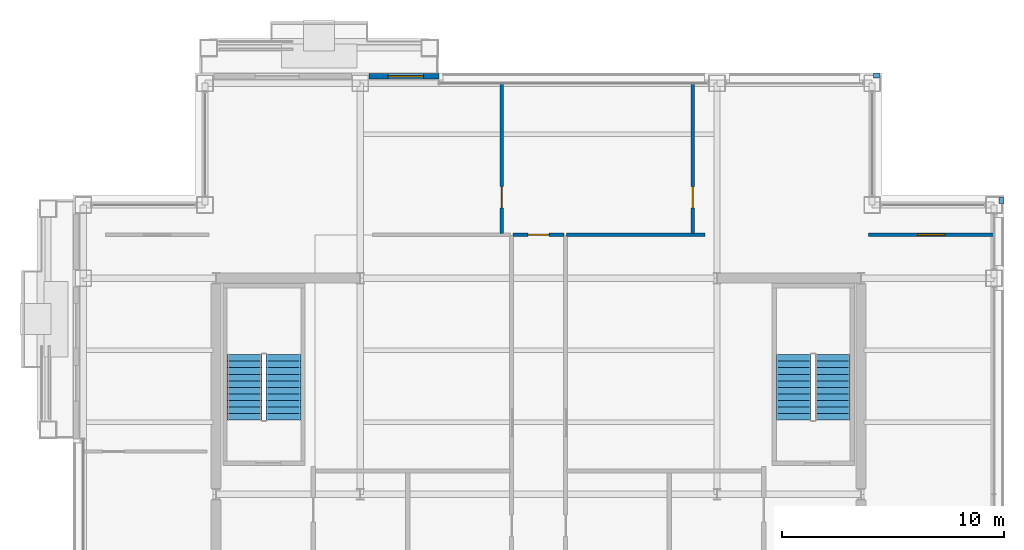
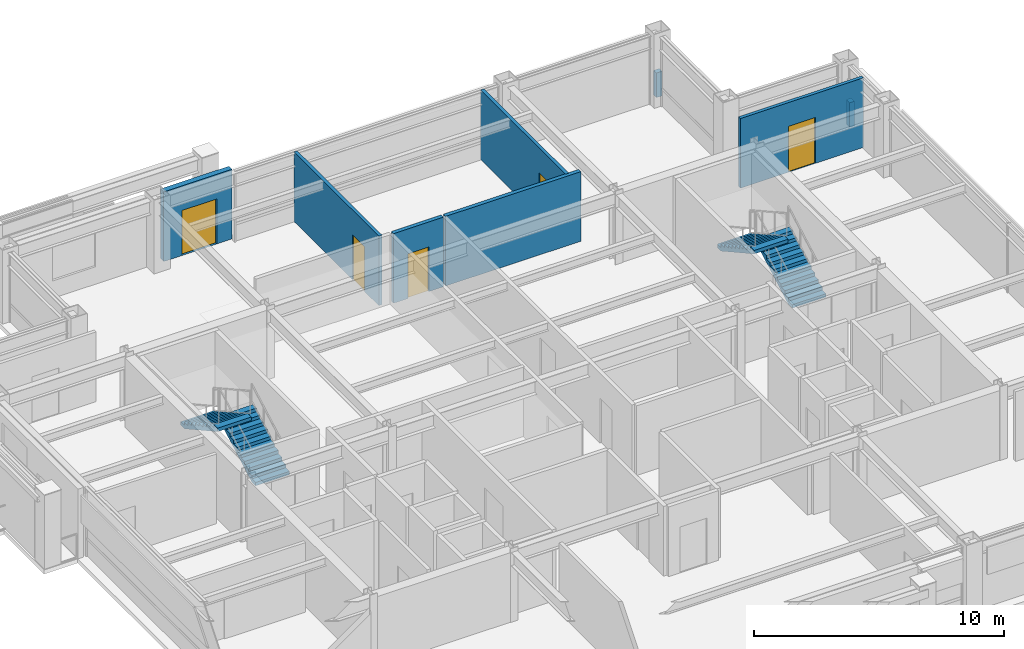
# One storey, part 28 of 31: 8 walls, 5 doors, 4 stair flights, 5 openings, 2 elements without a shape of their own.
"""IFC4 building model written with IfcOpenShell, lengths in metres."""

from ifc_helpers import new_model, si_unit, direction, frame, frame_2d, origin, place, context, subcontext, project, spatial, polyline, rectangle, outline, extrude, material, layer, layer_set, type_object, element, fill, aggregate, save


model = new_model("IFC4")

# Units and contexts
model_context = context("Model", 3, precision=1e-05, world=origin(), true_north=direction((0.0, 1.0)))
body_context = subcontext(model_context, "Body", "Model", "MODEL_VIEW")
ifc_project = project(units=[si_unit("LENGTHUNIT", "METRE"), si_unit("AREAUNIT", "SQUARE_METRE"), si_unit("VOLUMEUNIT", "CUBIC_METRE"), si_unit("PLANEANGLEUNIT", "RADIAN"), si_unit("MASSUNIT", "GRAM", prefix="KILO")], contexts=[model_context])

# Site, building, storey
site_placement = place(None, origin())
site = spatial("IfcSite", under=ifc_project, at=site_placement, CompositionType="ELEMENT")
building_placement = place(site_placement, origin())
building = spatial("IfcBuilding", under=site, at=building_placement, Name="Brelmoor Portico Tower", CompositionType="ELEMENT")
storey_placement = place(building_placement, frame((0.0, 0.0, 176.699951171875)))
storey = spatial("IfcBuildingStorey", under=building, at=storey_placement, Name="L46", CompositionType="ELEMENT", Elevation=176.699951171875)

# Wall, opening, door
ifc_material_1 = material(Name="Precast Concrete C40 Insulated Facade Wall", Category="concrete")
ifc_layer_1 = layer(ifc_material_1, 0.25)
ifc_layer_set_1 = layer_set([ifc_layer_1], Name="Precast Concrete C40 Insulated Facade Wall")
wall_type_1 = type_object("IfcWallType", Name="WL-EXT-250", PredefinedType="STANDARD", material=ifc_layer_set_1)
wall_1_placement = place(storey_placement, frame((-7.655029296875, 18.860107421875, 0.0), z_axis=(0.0, 0.0, 1.0), x_axis=(1.0, 0.0, 0.0)))
wall_1 = element("IfcWall", 1, at=wall_1_placement, inside=storey, type_object=wall_type_1, Name="L46 Loggia Threshold Wall N-2", PredefinedType="STANDARD", context=body_context, shape_type="SweptSolid", body=[
    extrude(rectangle(XDim=3.155029296875, YDim=0.25, at=frame_2d((1.57763671875, 0.0))), origin(), (0.0, 0.0, 1.0), 3.400146484375),
])
opening_1_placement = place(wall_1_placement, frame((0.85498046875, 0.0, 0.0)))
opening_1 = element("IfcOpeningElement", 2, at=opening_1_placement, cuts=wall_1, Name="Opening D-TB1", PredefinedType="OPENING", context=body_context, shape_type="SweptSolid", body=[
    extrude(rectangle(XDim=1.60009765625, YDim=2.199951171875, at=frame_2d((0.800048828125, 1.10009765625))), frame((0.0, 0.135009765625, 0.0), z_axis=(0.0, -1.0, 0.0), x_axis=(1.0, 0.0, 0.0)), (0.0, 0.0, 1.0), 0.27001953125),
])
ifc_material_2 = material(Name="Double-Leaf Thermally Broken Terrace Door", Category="aluminium")
door_type_1 = type_object("IfcDoorType", Name="DR-BALCONY-1600", OperationType="NOTDEFINED", PredefinedType="DOOR", material=ifc_material_2)
door_1_placement = place(opening_1_placement, origin())
door_1 = element("IfcDoor", 3, at=door_1_placement, inside=storey, type_object=door_type_1, Name="D-1974 L46 Tree Balcony Double Door N", OperationType="DOUBLE_DOOR_SINGLE_SWING", OverallHeight=2.199951171875, OverallWidth=1.60009765625, PredefinedType="DOOR", context=body_context, shape_type="SweptSolid", body=[
    extrude(rectangle(XDim=1.60009765625, YDim=2.199951171875, at=frame_2d((0.800048828125, 1.10009765625))), frame((0.0, 0.02490234375, 0.0), z_axis=(0.0, -1.0, 0.0), x_axis=(1.0, 0.0, 0.0)), (0.0, 0.0, 1.0), 0.050048828125),
])
fill(opening_1, door_1)

# Walls
ifc_material_3 = material(Name="Concrete C40 Parapet Upstand", Category="concrete")
ifc_layer_2 = layer(ifc_material_3, 0.219970703125)
ifc_layer_set_2 = layer_set([ifc_layer_2], Name="Concrete C40 Parapet Upstand")
wall_type_2 = type_object("IfcWallType", Name="WL-PARAPET-220", PredefinedType="PARAPET", material=ifc_layer_set_2)
for number, where, z_axis, x_axis, name in (
    (4, (15.1201171875, 18.889892578125, 0.0), (0.0, 0.0, 1.0), (1.0, 0.0, 0.0), "L46 Chamfer Vertex Parapet Pier NE1"),
    (5, (20.889892578125, 13.1201171875, 0.0), (0.0, 0.0, 1.0), (0.0, 1.0, 0.0), "L46 Chamfer Vertex Parapet Pier NE2"),
):
    element("IfcWall", number, at=place(storey_placement, frame(where, z_axis=z_axis, x_axis=x_axis)), inside=storey, type_object=wall_type_2, Name=name, PredefinedType="PARAPET", context=body_context, shape_type="SweptSolid", body=[
        extrude(rectangle(XDim=0.269775390625, YDim=0.219970703125, at=frame_2d((0.134765625, 0.0))), origin(), (0.0, 0.0, 1.0), 1.199951171875),
    ])

# Wall, opening, door
ifc_material_4 = material(Name="Wet-Area Moisture-Resistant Partition", Category="gypsum")
ifc_layer_3 = layer(ifc_material_4, 0.14990234375)
ifc_layer_set_3 = layer_set([ifc_layer_3], Name="Wet-Area Moisture-Resistant Partition")
wall_type_3 = type_object("IfcWallType", Name="WL-PART-150", PredefinedType="PARTITIONING", material=ifc_layer_set_3)
wall_2_placement = place(storey_placement, frame((-1.669189453125, 11.77001953125, 0.0), z_axis=(0.0, 0.0, 1.0), x_axis=(0.0, 1.0, 0.0)))
wall_2 = element("IfcWall", 6, at=wall_2_placement, inside=storey, type_object=wall_type_3, Name="L46 North Suite Partition 1", PredefinedType="PARTITIONING", context=body_context, shape_type="SweptSolid", body=[
    extrude(rectangle(XDim=6.7900390625, YDim=0.14990234375, at=frame_2d((3.39501953125, 0.0))), origin(), (0.0, 0.0, 1.0), 3.400146484375),
])
opening_2_placement = place(wall_2_placement, frame((1.14990234375, 0.0, 0.0)))
opening_2 = element("IfcOpeningElement", 7, at=opening_2_placement, cuts=wall_2, Name="Opening D-IN2", PredefinedType="OPENING", context=body_context, shape_type="SweptSolid", body=[
    extrude(rectangle(XDim=0.9599609375, YDim=2.179931640625, at=frame_2d((0.47998046875, 1.08984375))), frame((0.0, 0.0849609375, 0.0), z_axis=(0.0, -1.0, 0.0), x_axis=(1.0, 0.0, 0.0)), (0.0, 0.0, 1.0), 0.169921875),
])
ifc_material_5 = material(Name="Lacquered Timber Suite Door", Category="wood")
door_type_2 = type_object("IfcDoorType", Name="DR-INT-950", OperationType="NOTDEFINED", PredefinedType="DOOR", material=ifc_material_5)
door_2_placement = place(opening_2_placement, origin())
door_2 = element("IfcDoor", 8, at=door_2_placement, inside=storey, type_object=door_type_2, Name="D-1963 L46 North Suite Connecting Door 1", OperationType="SINGLE_SWING_RIGHT", OverallHeight=2.179931640625, OverallWidth=0.9599609375, PredefinedType="DOOR", context=body_context, shape_type="SweptSolid", body=[
    extrude(rectangle(XDim=0.9599609375, YDim=2.179931640625, at=frame_2d((0.47998046875, 1.08984375))), frame((0.0, 0.02490234375, 0.0), z_axis=(0.0, -1.0, 0.0), x_axis=(1.0, 0.0, 0.0)), (0.0, 0.0, 1.0), 0.050048828125),
])
fill(opening_2, door_2)

wall_3_placement = place(storey_placement, frame((6.955078125, 11.77001953125, 0.0), z_axis=(0.0, 0.0, 1.0), x_axis=(0.0, 1.0, 0.0)))
wall_3 = element("IfcWall", 9, at=wall_3_placement, inside=storey, type_object=wall_type_3, Name="L46 North Suite Partition 2", PredefinedType="PARTITIONING", context=body_context, shape_type="SweptSolid", body=[
    extrude(rectangle(XDim=6.7900390625, YDim=0.14990234375, at=frame_2d((3.39501953125, 0.0))), origin(), (0.0, 0.0, 1.0), 3.400146484375),
])
opening_3_placement = place(wall_3_placement, frame((1.14990234375, 0.0, 0.0)))
opening_3 = element("IfcOpeningElement", 10, at=opening_3_placement, cuts=wall_3, Name="Opening D-IN2", PredefinedType="OPENING", context=body_context, shape_type="SweptSolid", body=[
    extrude(rectangle(XDim=0.9599609375, YDim=2.179931640625, at=frame_2d((0.47998046875, 1.08984375))), frame((0.0, 0.0849609375, 0.0), z_axis=(0.0, -1.0, 0.0), x_axis=(1.0, 0.0, 0.0)), (0.0, 0.0, 1.0), 0.169921875),
])
door_3_placement = place(opening_3_placement, origin())
door_3 = element("IfcDoor", 11, at=door_3_placement, inside=storey, type_object=door_type_2, Name="D-1964 L46 North Suite Connecting Door 2", OperationType="SINGLE_SWING_LEFT", OverallHeight=2.179931640625, OverallWidth=0.9599609375, PredefinedType="DOOR", context=body_context, shape_type="SweptSolid", body=[
    extrude(rectangle(XDim=0.9599609375, YDim=2.179931640625, at=frame_2d((0.47998046875, 1.08984375))), frame((0.0, 0.02490234375, 0.0), z_axis=(0.0, -1.0, 0.0), x_axis=(1.0, 0.0, 0.0)), (0.0, 0.0, 1.0), 0.050048828125),
])
fill(opening_3, door_3)

wall_4_placement = place(storey_placement, frame((14.8798828125, 11.7099609375, 0.0), z_axis=(0.0, 0.0, 1.0), x_axis=(1.0, 0.0, 0.0)))
wall_4 = element("IfcWall", 12, at=wall_4_placement, inside=storey, type_object=wall_type_3, Name="L46 North Wing Suite Wall ER", PredefinedType="PARTITIONING", context=body_context, shape_type="SweptSolid", body=[
    extrude(rectangle(XDim=5.68017578125, YDim=0.14990234375, at=frame_2d((2.840087890625, 0.0))), origin(), (0.0, 0.0, 1.0), 3.400146484375),
])
opening_4_placement = place(wall_4_placement, frame((2.219970703125, 0.0, 0.0)))
opening_4 = element("IfcOpeningElement", 13, at=opening_4_placement, cuts=wall_4, Name="Opening D-SU1", PredefinedType="OPENING", context=body_context, shape_type="SweptSolid", body=[
    extrude(rectangle(XDim=1.239990234375, YDim=2.239990234375, at=frame_2d((0.6201171875, 1.1201171875))), frame((0.0, 0.0849609375, 0.0), z_axis=(0.0, -1.0, 0.0), x_axis=(1.0, 0.0, 0.0)), (0.0, 0.0, 1.0), 0.169921875),
])
ifc_material_6 = material(Name="Glazed Timber Executive Suite Door", Category="wood")
door_type_3 = type_object("IfcDoorType", Name="DR-SUITE-1200", OperationType="NOTDEFINED", PredefinedType="DOOR", material=ifc_material_6)
door_4_placement = place(opening_4_placement, origin())
door_4 = element("IfcDoor", 14, at=door_4_placement, inside=storey, type_object=door_type_3, Name="D-1965 L46 ER Wing Suite Connecting Door", OperationType="SINGLE_SWING_RIGHT", OverallHeight=2.239990234375, OverallWidth=1.239990234375, PredefinedType="DOOR", context=body_context, shape_type="SweptSolid", body=[
    extrude(rectangle(XDim=1.239990234375, YDim=2.239990234375, at=frame_2d((0.6201171875, 1.1201171875))), frame((0.0, 0.02490234375, 0.0), z_axis=(0.0, -1.0, 0.0), x_axis=(1.0, 0.0, 0.0)), (0.0, 0.0, 1.0), 0.050048828125),
])
fill(opening_4, door_4)

# Wall
ifc_material_7 = material(Name="Acoustic Corridor Fire Partition", Category="gypsum")
ifc_layer_4 = layer(ifc_material_7, 0.179931640625)
ifc_layer_set_4 = layer_set([ifc_layer_4], Name="Acoustic Corridor Fire Partition")
wall_type_4 = type_object("IfcWallType", Name="WL-PART-180", PredefinedType="PARTITIONING", material=ifc_layer_set_4)
wall_5_placement = place(storey_placement, frame((1.260009765625, 11.7099609375, 0.0), z_axis=(0.0, 0.0, 1.0), x_axis=(1.0, 0.0, 0.0)))
element("IfcWall", 15, at=wall_5_placement, inside=storey, type_object=wall_type_4, Name="L46 East Suite North Wall", PredefinedType="PARTITIONING", context=body_context, shape_type="SweptSolid", body=[
    extrude(rectangle(XDim=6.239990234375, YDim=0.179931640625, at=frame_2d((3.1201171875, 0.0))), origin(), (0.0, 0.0, 1.0), 3.400146484375),
])

# Wall, opening, door
wall_6_placement = place(storey_placement, frame((-1.14990234375, 11.7099609375, 0.0), z_axis=(0.0, 0.0, 1.0), x_axis=(1.0, 0.0, 0.0)))
wall_6 = element("IfcWall", 16, at=wall_6_placement, inside=storey, type_object=wall_type_4, Name="L46 North Corridor Partition", PredefinedType="PARTITIONING", context=body_context, shape_type="SweptSolid", body=[
    extrude(rectangle(XDim=2.2998046875, YDim=0.179931640625, at=frame_2d((1.14990234375, 0.0))), origin(), (0.0, 0.0, 1.0), 3.400146484375),
])
opening_5_placement = place(wall_6_placement, frame((0.669921875, 0.0, 0.0)))
opening_5 = element("IfcOpeningElement", 17, at=opening_5_placement, cuts=wall_6, Name="Opening D-IN2", PredefinedType="OPENING", context=body_context, shape_type="SweptSolid", body=[
    extrude(rectangle(XDim=0.9599609375, YDim=2.179931640625, at=frame_2d((0.47998046875, 1.08984375))), frame((0.0, 0.099853515625, 0.0), z_axis=(0.0, -1.0, 0.0), x_axis=(1.0, 0.0, 0.0)), (0.0, 0.0, 1.0), 0.199951171875),
])
door_5_placement = place(opening_5_placement, origin())
door_5 = element("IfcDoor", 18, at=door_5_placement, inside=storey, type_object=door_type_2, Name="D-1962 L46 North First-Aid Consultation 2 Door", OperationType="SINGLE_SWING_RIGHT", OverallHeight=2.179931640625, OverallWidth=0.9599609375, PredefinedType="DOOR", context=body_context, shape_type="SweptSolid", body=[
    extrude(rectangle(XDim=0.9599609375, YDim=2.179931640625, at=frame_2d((0.47998046875, 1.08984375))), frame((0.0, 0.02490234375, 0.0), z_axis=(0.0, -1.0, 0.0), x_axis=(1.0, 0.0, 0.0)), (0.0, 0.0, 1.0), 0.050048828125),
])
fill(opening_5, door_5)

# Stair, stair flights
ifc_material_8 = material(Name="Concrete C40", Category="concrete")
stair_type_1 = type_object("IfcStairType", Name="ST-CORE-W", PredefinedType="HALF_TURN_STAIR", material=ifc_material_8)
stair_1_placement = place(storey_placement, origin())
stair_1 = element("IfcStair", 19, at=stair_1_placement, inside=storey, type_object=stair_type_1, Name="L46 Protected Core Exit Stair ST-W", PredefinedType="HALF_TURN_STAIR")
stair_flight_type = type_object("IfcStairFlightType", Name="SF-CORE-1850", PredefinedType="STRAIGHT", material=ifc_material_8)
stair_flight_1_placement = place(storey_placement, frame((-11.510009765625, 3.35009765625, 0.0), z_axis=(0.0, 0.0, 1.0), x_axis=(0.0, 1.0, 0.0)))
stair_flight_1 = element("IfcStairFlight", 20, at=stair_flight_1_placement, type_object=stair_flight_type, Name="ST-W flight 1", NumberOfRisers=11, NumberOfTreads=10, PredefinedType="STRAIGHT", RiserHeight=0.163636364, TreadLength=0.295, context=body_context, shape_type="SweptSolid", body=[
    extrude(outline(polyline([(0.0, 0.0), (0.0, 0.16357421875), (0.294921875, 0.16357421875), (0.294921875, 0.327392578125), (0.590087890625, 0.327392578125), (0.590087890625, 0.490966796875), (0.885009765625, 0.490966796875), (0.885009765625, 0.654541015625), (1.179931640625, 0.654541015625), (1.179931640625, 0.818115234375), (1.47509765625, 0.818115234375), (1.47509765625, 0.98193359375), (1.77001953125, 0.98193359375), (1.77001953125, 1.1455078125), (2.06494140625, 1.1455078125), (2.06494140625, 1.30908203125), (2.360107421875, 1.30908203125), (2.360107421875, 1.47265625), (2.655029296875, 1.47265625), (2.655029296875, 1.636474609375), (2.949951171875, 1.636474609375), (2.949951171875, 1.800048828125), (2.949951171875, 1.46484375), (0.30908203125, 0.0), (0.0, 0.0)])), frame((0.0, 0.780029296875, 0.0), z_axis=(0.0, -1.0, 0.0), x_axis=(1.0, 0.0, 0.0)), (0.0, 0.0, 1.0), 1.56005859375),
])
stair_flight_2_placement = place(storey_placement, frame((-13.27001953125, 6.300048828125, 1.800048828125), z_axis=(0.0, 0.0, 1.0), x_axis=(0.0, -1.0, 0.0)))
stair_flight_2 = element("IfcStairFlight", 21, at=stair_flight_2_placement, type_object=stair_flight_type, Name="ST-W flight 2", NumberOfRisers=11, NumberOfTreads=10, PredefinedType="STRAIGHT", RiserHeight=0.163636364, TreadLength=0.295, context=body_context, shape_type="SweptSolid", body=[
    extrude(outline(polyline([(0.0, 0.0), (0.0, 0.16357421875), (0.294921875, 0.16357421875), (0.294921875, 0.327392578125), (0.590087890625, 0.327392578125), (0.590087890625, 0.490966796875), (0.885009765625, 0.490966796875), (0.885009765625, 0.654541015625), (1.179931640625, 0.654541015625), (1.179931640625, 0.818115234375), (1.47509765625, 0.818115234375), (1.47509765625, 0.98193359375), (1.77001953125, 0.98193359375), (1.77001953125, 1.1455078125), (2.06494140625, 1.1455078125), (2.06494140625, 1.30908203125), (2.360107421875, 1.30908203125), (2.360107421875, 1.47265625), (2.655029296875, 1.47265625), (2.655029296875, 1.636474609375), (2.949951171875, 1.636474609375), (2.949951171875, 1.800048828125), (2.949951171875, 1.46484375), (0.30908203125, 0.0), (0.0, 0.0)])), frame((0.0, 0.780029296875, 0.0), z_axis=(0.0, -1.0, 0.0), x_axis=(1.0, 0.0, 0.0)), (0.0, 0.0, 1.0), 1.56005859375),
])
aggregate(stair_1, [stair_flight_1, stair_flight_2])

stair_type_2 = type_object("IfcStairType", Name="ST-CORE-E", PredefinedType="HALF_TURN_STAIR", material=ifc_material_8)
stair_2_placement = place(storey_placement, origin())
stair_2 = element("IfcStair", 22, at=stair_2_placement, inside=storey, type_object=stair_type_2, Name="L46 Protected Core Exit Stair ST-E", PredefinedType="HALF_TURN_STAIR")
stair_flight_3_placement = place(storey_placement, frame((13.27001953125, 3.35009765625, 0.0), z_axis=(0.0, 0.0, 1.0), x_axis=(0.0, 1.0, 0.0)))
stair_flight_3 = element("IfcStairFlight", 23, at=stair_flight_3_placement, type_object=stair_flight_type, Name="ST-E flight 1", NumberOfRisers=11, NumberOfTreads=10, PredefinedType="STRAIGHT", RiserHeight=0.163636364, TreadLength=0.295, context=body_context, shape_type="SweptSolid", body=[
    extrude(outline(polyline([(0.0, 0.0), (0.0, 0.16357421875), (0.294921875, 0.16357421875), (0.294921875, 0.327392578125), (0.590087890625, 0.327392578125), (0.590087890625, 0.490966796875), (0.885009765625, 0.490966796875), (0.885009765625, 0.654541015625), (1.179931640625, 0.654541015625), (1.179931640625, 0.818115234375), (1.47509765625, 0.818115234375), (1.47509765625, 0.98193359375), (1.77001953125, 0.98193359375), (1.77001953125, 1.1455078125), (2.06494140625, 1.1455078125), (2.06494140625, 1.30908203125), (2.360107421875, 1.30908203125), (2.360107421875, 1.47265625), (2.655029296875, 1.47265625), (2.655029296875, 1.636474609375), (2.949951171875, 1.636474609375), (2.949951171875, 1.800048828125), (2.949951171875, 1.46484375), (0.30908203125, 0.0), (0.0, 0.0)])), frame((0.0, 0.780029296875, 0.0), z_axis=(0.0, -1.0, 0.0), x_axis=(1.0, 0.0, 0.0)), (0.0, 0.0, 1.0), 1.56005859375),
])
stair_flight_4_placement = place(storey_placement, frame((11.510009765625, 6.300048828125, 1.800048828125), z_axis=(0.0, 0.0, 1.0), x_axis=(0.0, -1.0, 0.0)))
stair_flight_4 = element("IfcStairFlight", 24, at=stair_flight_4_placement, type_object=stair_flight_type, Name="ST-E flight 2", NumberOfRisers=11, NumberOfTreads=10, PredefinedType="STRAIGHT", RiserHeight=0.163636364, TreadLength=0.295, context=body_context, shape_type="SweptSolid", body=[
    extrude(outline(polyline([(0.0, 0.0), (0.0, 0.16357421875), (0.294921875, 0.16357421875), (0.294921875, 0.327392578125), (0.590087890625, 0.327392578125), (0.590087890625, 0.490966796875), (0.885009765625, 0.490966796875), (0.885009765625, 0.654541015625), (1.179931640625, 0.654541015625), (1.179931640625, 0.818115234375), (1.47509765625, 0.818115234375), (1.47509765625, 0.98193359375), (1.77001953125, 0.98193359375), (1.77001953125, 1.1455078125), (2.06494140625, 1.1455078125), (2.06494140625, 1.30908203125), (2.360107421875, 1.30908203125), (2.360107421875, 1.47265625), (2.655029296875, 1.47265625), (2.655029296875, 1.636474609375), (2.949951171875, 1.636474609375), (2.949951171875, 1.800048828125), (2.949951171875, 1.46484375), (0.30908203125, 0.0), (0.0, 0.0)])), frame((0.0, 0.780029296875, 0.0), z_axis=(0.0, -1.0, 0.0), x_axis=(1.0, 0.0, 0.0)), (0.0, 0.0, 1.0), 1.56005859375),
])
aggregate(stair_2, [stair_flight_3, stair_flight_4])

save(model, "model.ifc")
